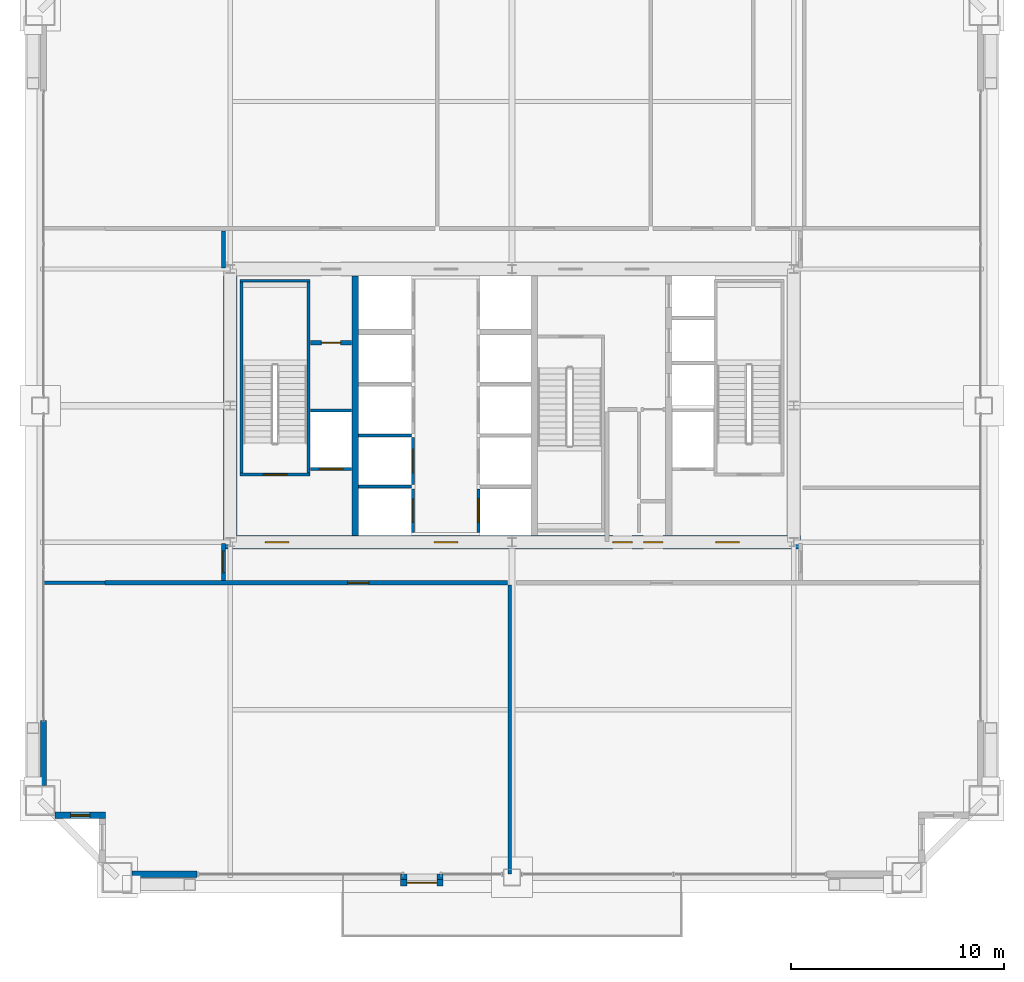
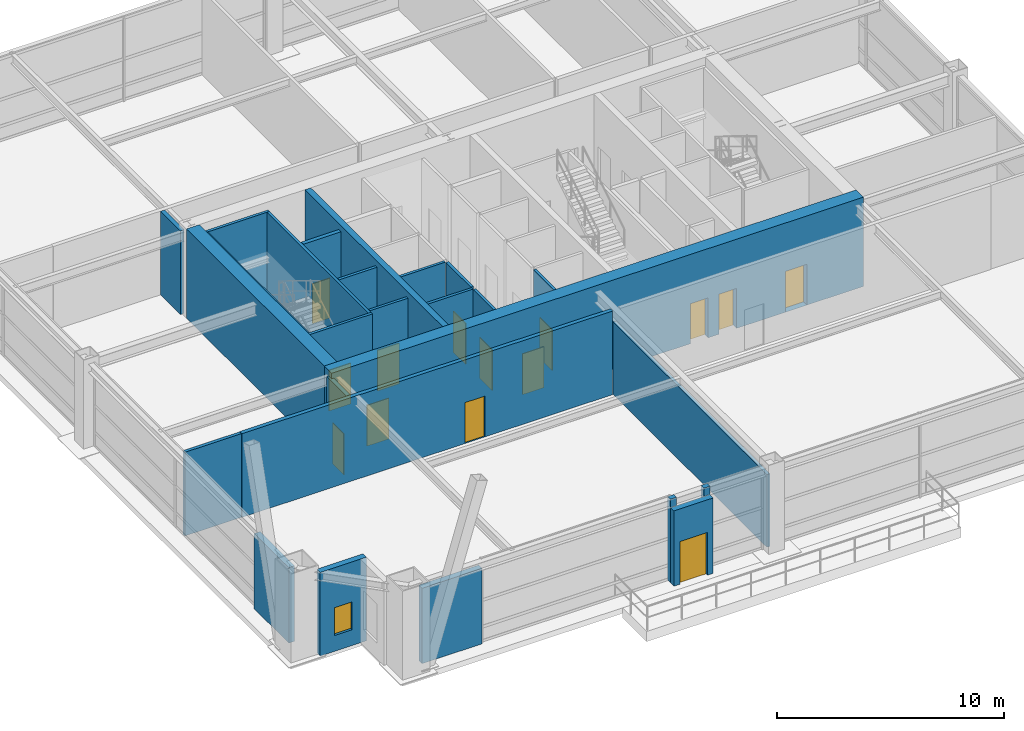
# One storey, part 30 of 34: 26 walls, 14 doors, 1 window, 15 openings.
"""IFC4 building model written with IfcOpenShell, lengths in metres."""

import ifcopenshell
import ifcopenshell.guid

model = None  # the IFC model being written
_history = None  # IfcOwnerHistory: only IFC2X3 demands one
_inside = {}  # id of a spatial element -> (the spatial element, [elements in it])
_under = {}  # id of a project, library or spatial element -> (it, [spatial elements below it])
_declared = {}  # id of a project -> (the project, [libraries it declares])
_typed = {}  # id of a type object -> (the type object, [elements of that type])
_made_of = {}  # id of a material, layer set ... -> (it, [elements and type objects made of it])


def new_model(schema):
    """Start an empty IFC model of exactly this schema.

    Asked for "IFC4X3", IfcOpenShell would pick the latest addendum, in which some entities
    have other attributes; the version numbers below select the first issue.
    IFC2X3 requires an IfcOwnerHistory on every rooted entity: one is made here for all.
    """
    global model, _history
    if schema == "IFC4X3":
        model = ifcopenshell.file(schema_version=(4, 3, 0, 0))
    else:
        model = ifcopenshell.file(schema=schema)
    _inside.clear()
    _under.clear()
    _declared.clear()
    _typed.clear()
    _made_of.clear()
    _history = None
    if model.schema == "IFC2X3":
        org = make("IfcOrganization", Name="unknown")
        user = make(
            "IfcPersonAndOrganization",
            ThePerson=make("IfcPerson", FamilyName="unknown"),
            TheOrganization=org,
        )
        app = make(
            "IfcApplication",
            ApplicationDeveloper=org,
            Version="unknown",
            ApplicationFullName="unknown",
            ApplicationIdentifier="unknown",
        )
        _history = make(
            "IfcOwnerHistory",
            OwningUser=user,
            OwningApplication=app,
            ChangeAction="ADDED",
            CreationDate=0,
        )
    return model


def make(cls, **values):
    """One entity of the class cls with the attributes given. An attribute that is None is left unset."""
    return model.create_entity(
        cls, **{name: value for name, value in values.items() if value is not None}
    )


def rooted(cls, **values):
    """An entity with a GlobalId (a new one), such as an element, a storey or a relation."""
    return make(cls, GlobalId=ifcopenshell.guid.new(), OwnerHistory=_history, **values)


def si_unit(unit_type, name, prefix=None):
    """IfcSIUnit, for example si_unit("LENGTHUNIT", "METRE", prefix="MILLI")."""
    return make("IfcSIUnit", UnitType=unit_type, Prefix=prefix, Name=name)


def assignment(units):
    """IfcUnitAssignment: the units of a project."""
    return None if units is None else make("IfcUnitAssignment", Units=units)


def point(xyz):
    """IfcCartesianPoint."""
    return None if xyz is None else make("IfcCartesianPoint", Coordinates=xyz)


def direction(xyz):
    """IfcDirection."""
    return None if xyz is None else make("IfcDirection", DirectionRatios=xyz)


def frame(location, z_axis=None, x_axis=None):
    """IfcAxis2Placement3D, a coordinate frame: its origin and axes. An axis left out is left unset."""
    return make(
        "IfcAxis2Placement3D",
        Location=point(location),
        Axis=direction(z_axis),
        RefDirection=direction(x_axis),
    )


def frame_2d(location, x_axis=None):
    """IfcAxis2Placement2D, a coordinate frame in the plane: its origin and x axis."""
    return make(
        "IfcAxis2Placement2D", Location=point(location), RefDirection=direction(x_axis)
    )


def origin():
    """The frame at (0, 0, 0) with its axes left unset."""
    return frame((0.0, 0.0, 0.0))


def place(relative_to, where):
    """IfcLocalPlacement: puts the frame where relative to a parent placement (None: the world)."""
    return make(
        "IfcLocalPlacement", PlacementRelTo=relative_to, RelativePlacement=where
    )


def context(
    kind, dimensions, precision=None, world=None, true_north=None, identifier=None
):
    """IfcGeometricRepresentationContext, for example the 3D "Model" context."""
    return make(
        "IfcGeometricRepresentationContext",
        ContextIdentifier=identifier,
        ContextType=kind,
        CoordinateSpaceDimension=dimensions,
        Precision=precision,
        WorldCoordinateSystem=world,
        TrueNorth=true_north,
    )


def subcontext(parent, identifier, kind, view, scale=None):
    """IfcGeometricRepresentationSubContext, for example "Body" below "Model"."""
    return make(
        "IfcGeometricRepresentationSubContext",
        ContextIdentifier=identifier,
        ContextType=kind,
        ParentContext=parent,
        TargetScale=scale,
        TargetView=view,
    )


def project(units=None, contexts=None):
    """IfcProject with its units and contexts."""
    return rooted(
        "IfcProject",
        Name="project",
        RepresentationContexts=contexts,
        UnitsInContext=assignment(units),
    )


def spatial(cls, under=None, at=None, **own):
    """A site, building, storey or space (cls), placed at a placement, below another one or the project."""
    s = rooted(cls, ObjectPlacement=at, **own)
    if under is not None:
        _under.setdefault(under.id(), (under, []))[1].append(s)
    return s


def profile(cls, at=None, kind="AREA", **sizes):
    """A parametric profile (cls). Its sizes go by their IFC names, for example OverallWidth=200.0."""
    return make(cls, ProfileType=kind, Position=at, **sizes)


def rectangle(**sizes):
    """IfcRectangleProfileDef."""
    return profile("IfcRectangleProfileDef", **sizes)


def extrude(swept, where, along, depth):
    """IfcExtrudedAreaSolid: the profile swept, set in the frame where, extruded along a direction by depth."""
    return make(
        "IfcExtrudedAreaSolid",
        SweptArea=swept,
        Position=where,
        ExtrudedDirection=direction(along),
        Depth=depth,
    )


def shape(context_of_items, identifier, shape_type, items):
    """IfcShapeRepresentation: the items that make up one representation, for example the "Body"."""
    return make(
        "IfcShapeRepresentation",
        ContextOfItems=context_of_items,
        RepresentationIdentifier=identifier,
        RepresentationType=shape_type,
        Items=items,
    )


def source(mapping_origin, context_of_items, identifier, shape_type, items):
    """IfcRepresentationMap: a shape defined once, which mapped items show again and again."""
    return make(
        "IfcRepresentationMap",
        MappingOrigin=mapping_origin,
        MappedRepresentation=shape(context_of_items, identifier, shape_type, items),
    )


def transform(
    local_origin,
    x_axis=None,
    y_axis=None,
    z_axis=None,
    scale=None,
    scale2=None,
    scale3=None,
    uniform=True,
):
    """IfcCartesianTransformationOperator3D, or its non-uniform kind. x_axis, y_axis, z_axis: its Axis1, 2, 3."""
    if uniform:
        return make(
            "IfcCartesianTransformationOperator3D",
            Axis1=direction(x_axis),
            Axis2=direction(y_axis),
            LocalOrigin=point(local_origin),
            Scale=scale,
            Axis3=direction(z_axis),
        )
    return make(
        "IfcCartesianTransformationOperator3DnonUniform",
        Axis1=direction(x_axis),
        Axis2=direction(y_axis),
        LocalOrigin=point(local_origin),
        Scale=scale,
        Axis3=direction(z_axis),
        Scale2=scale2,
        Scale3=scale3,
    )


def mapped(mapping_source, mapping_target):
    """IfcMappedItem: shows the shape of a source again, moved by a transform."""
    return make(
        "IfcMappedItem", MappingSource=mapping_source, MappingTarget=mapping_target
    )


def material(Name=None, Category=None):
    """IfcMaterial."""
    return make("IfcMaterial", Name=Name, Category=Category)


def layer(
    of_material, thickness, ventilated=None, Name=None, Category=None, Priority=None
):
    """IfcMaterialLayer: one layer of a wall or slab, of a material (None: an air gap)."""
    return make(
        "IfcMaterialLayer",
        Material=of_material,
        LayerThickness=thickness,
        IsVentilated=ventilated,
        Name=Name,
        Category=Category,
        Priority=Priority,
    )


def layer_set(layers, Name=None):
    """IfcMaterialLayerSet."""
    return make("IfcMaterialLayerSet", MaterialLayers=layers, LayerSetName=Name)


def made_of(thing, what):
    """Note that an element or type object is made of a material, layer set ...; save() writes the relation."""
    if what is not None:
        _made_of.setdefault(what.id(), (what, []))[1].append(thing)
    return thing


def type_object(cls, material=None, **own):
    """A type object (cls), such as IfcWallType, which elements share."""
    return made_of(rooted(cls, **own), material)


def element(
    cls,
    number,
    at=None,
    inside=None,
    cuts=None,
    type_object=None,
    material=None,
    context=None,
    identifier="Body",
    shape_type=None,
    held_by="IfcProductDefinitionShape",
    body=None,
    shapes=None,
    **own,
):
    """One element of the class cls, such as IfcWall. Its Tag is "e" and its number.

    at: its placement. inside: the storey or other place that contains it. cuts: it is an
    opening in that element (IfcRelVoidsElement). A single representation is given by context,
    identifier, shape_type and body (its items); several are given by shapes. held_by: the class
    of the entity that holds the representations. save() writes the other relations.
    """
    e = rooted(cls, Tag="e%d" % number, ObjectPlacement=at, **own)
    if body is not None:
        shapes = [shape(context, identifier, shape_type, body)]
    if shapes is not None:
        e.Representation = make(held_by, Representations=shapes)
    if inside is not None:
        _inside.setdefault(inside.id(), (inside, []))[1].append(e)
    if cuts is not None:
        rooted(
            "IfcRelVoidsElement", RelatingBuildingElement=cuts, RelatedOpeningElement=e
        )
    if type_object is not None:
        _typed.setdefault(type_object.id(), (type_object, []))[1].append(e)
    return made_of(e, material)


def fill(opening, filler):
    """IfcRelFillsElement: the door or window that sits in an opening."""
    return rooted(
        "IfcRelFillsElement",
        RelatingOpeningElement=opening,
        RelatedBuildingElement=filler,
    )


def aggregate(whole, parts):
    """IfcRelAggregates: a whole, such as a stair, and the parts it consists of."""
    return rooted("IfcRelAggregates", RelatingObject=whole, RelatedObjects=parts)


def save(model, path):
    """Write the relations noted so far, then the file.

    IfcRelAggregates (storeys below a building ...), IfcRelContainedInSpatialStructure (elements
    in a storey), IfcRelDefinesByType, IfcRelAssociatesMaterial and IfcRelDeclares: one each for
    every whole, place, type object, material and project.
    """
    for whole, parts in _under.values():
        aggregate(whole, parts)
    for where, things in _inside.values():
        rooted(
            "IfcRelContainedInSpatialStructure",
            RelatedElements=things,
            RelatingStructure=where,
        )
    for kind, things in _typed.values():
        rooted("IfcRelDefinesByType", RelatedObjects=things, RelatingType=kind)
    for what, things in _made_of.values():
        rooted("IfcRelAssociatesMaterial", RelatedObjects=things, RelatingMaterial=what)
    for by, libraries in _declared.values():
        rooted("IfcRelDeclares", RelatingContext=by, RelatedDefinitions=libraries)
    model.write(path)


model = new_model("IFC4")

# Units and contexts
model_context = context("Model", 3, precision=1e-05, world=origin(), true_north=direction((0.0, 1.0)))
body_context = subcontext(model_context, "Body", "Model", "MODEL_VIEW")
ifc_project = project(units=[si_unit("LENGTHUNIT", "METRE"), si_unit("AREAUNIT", "SQUARE_METRE"), si_unit("VOLUMEUNIT", "CUBIC_METRE"), si_unit("PLANEANGLEUNIT", "RADIAN"), si_unit("MASSUNIT", "GRAM", prefix="KILO"), si_unit("THERMODYNAMICTEMPERATUREUNIT", "KELVIN"), si_unit("POWERUNIT", "WATT")], contexts=[model_context])

# Site, building, storey
site_placement = place(None, origin())
site = spatial("IfcSite", under=ifc_project, at=site_placement, CompositionType="ELEMENT")
building_placement = place(site_placement, origin())
building = spatial("IfcBuilding", under=site, at=building_placement, Name="Yuzanri Waterfront Tower", CompositionType="ELEMENT")
storey_placement = place(building_placement, frame((0.0, 0.0, 166.800048828125)))
storey = spatial("IfcBuildingStorey", under=building, at=storey_placement, Name="L44", CompositionType="ELEMENT", Elevation=166.800048828125)

# Wall, opening, window
ifc_material_1 = material(Name="Honed Chongqing Dark Basalt Stone", Category="masonry")
ifc_layer_1 = layer(ifc_material_1, 0.300048828125)
ifc_layer_set_1 = layer_set([ifc_layer_1], Name="Honed Chongqing Dark Basalt Stone")
wall_type_1 = type_object("IfcWallType", Name="Bronze Rainscreen Insulated Spandrel Portal Wall 300", PredefinedType="SOLIDWALL", material=ifc_layer_set_1)
wall_1_placement = place(storey_placement, frame((15.60009765625, 6.60009765625, 0.0), z_axis=(0.0, 0.0, 1.0), x_axis=(1.0, 0.0, 0.0)))
wall_1 = element("IfcWall", 1, at=wall_1_placement, inside=storey, type_object=wall_type_1, Name="L44 Notched Corner Masonry Wall SW-X", PredefinedType="SOLIDWALL", context=body_context, shape_type="SweptSolid", body=[
    extrude(rectangle(XDim=2.349853515625, YDim=0.300048828125, at=frame_2d((1.1748046875, 0.0))), origin(), (0.0, 0.0, 1.0), 4.5),
])
opening_1_placement = place(wall_1_placement, frame((0.72509765625, 0.0, 0.85009765625)))
opening_1 = element("IfcOpeningElement", 2, at=opening_1_placement, cuts=wall_1, Name="Opening WN-05", PredefinedType="OPENING", context=body_context, shape_type="SweptSolid", body=[
    extrude(rectangle(XDim=0.89990234375, YDim=1.5, at=frame_2d((0.449951171875, 0.75))), frame((0.0, 0.1650390625, 0.0), z_axis=(0.0, -1.0, 0.0), x_axis=(1.0, 0.0, 0.0)), (0.0, 0.0, 1.0), 0.329833984375),
])
ifc_material_2 = material(Name="Double-Silver Low-E Insulated Glass", Category="glass")
window_type = type_object("IfcWindowType", Name="Anodized Bronze Service and Stairwell Smoke-Vent Window 900x1500", PartitioningType="SINGLE_PANEL", PredefinedType="WINDOW", material=ifc_material_2)
shared_shape_1 = source(origin(), body_context, "Body", "SweptSolid", [
    extrude(rectangle(XDim=0.89990234375, YDim=1.5, at=frame_2d((0.449951171875, 0.75))), frame((0.0, 0.030029296875, 0.0), z_axis=(0.0, -1.0, 0.0), x_axis=(1.0, 0.0, 0.0)), (0.0, 0.0, 1.0), 0.06005859375),
])
window_placement = place(opening_1_placement, origin())
window = element("IfcWindow", 3, at=window_placement, inside=storey, type_object=window_type, Name="L44 Notched Corner Window SW-X", OverallHeight=1.5, OverallWidth=0.89990234375, PartitioningType="SINGLE_PANEL", PredefinedType="WINDOW", context=body_context, shape_type="MappedRepresentation", body=[
    mapped(shared_shape_1, transform((0.0, 0.0, 0.0), scale=1.0)),
])
fill(opening_1, window)

# Wall, opening, door
wall_2_placement = place(storey_placement, frame((31.77490234375, 3.449951171875, 0.0), z_axis=(0.0, 0.0, 1.0), x_axis=(1.0, 0.0, 0.0)))
wall_2 = element("IfcWall", 4, at=wall_2_placement, inside=storey, type_object=wall_type_1, Name="L44 S Terrace Door Portal Wall", PredefinedType="SOLIDWALL", context=body_context, shape_type="SweptSolid", body=[
    extrude(rectangle(XDim=2.0, YDim=0.300048828125, at=frame_2d((1.0, 0.0))), origin(), (0.0, 0.0, 1.0), 4.054931640625),
])
opening_2_placement = place(wall_2_placement, frame((0.300048828125, 0.0, 0.0)))
opening_2 = element("IfcOpeningElement", 5, at=opening_2_placement, cuts=wall_2, Name="Opening TD-1400", PredefinedType="OPENING", context=body_context, shape_type="SweptSolid", body=[
    extrude(rectangle(XDim=1.39990234375, YDim=2.300048828125, at=frame_2d((0.699951171875, 1.14990234375))), frame((0.0, 0.1650390625, 0.0), z_axis=(0.0, -1.0, 0.0), x_axis=(1.0, 0.0, 0.0)), (0.0, 0.0, 1.0), 0.329833984375),
])
ifc_material_3 = material(Name="Anodized Architectural Bronze", Category="metal")
door_type_1 = type_object("IfcDoorType", Name="Anodized Bronze Balcony and Terrace Glazed Double Door 1400x2300", OperationType="NOTDEFINED", PredefinedType="DOOR", material=ifc_material_3)
shared_shape_2 = source(origin(), body_context, "Body", "SweptSolid", [
    extrude(rectangle(XDim=1.39990234375, YDim=2.300048828125, at=frame_2d((0.699951171875, 1.14990234375))), frame((0.0, 0.02490234375, 0.0), z_axis=(0.0, -1.0, 0.0), x_axis=(1.0, 0.0, 0.0)), (0.0, 0.0, 1.0), 0.050048828125),
])
door_1_placement = place(opening_2_placement, origin())
door_1 = element("IfcDoor", 6, at=door_1_placement, inside=storey, type_object=door_type_1, Name="L44 S Terrace Glazed Double Door", OperationType="DOUBLE_DOOR_SINGLE_SWING", OverallHeight=2.300048828125, OverallWidth=1.39990234375, PredefinedType="DOOR", context=body_context, shape_type="MappedRepresentation", body=[
    mapped(shared_shape_2, transform((0.0, 0.0, 0.0), scale=1.0)),
])
fill(opening_2, door_1)

# Wall, openings, doors
ifc_material_4 = material(Name="Concrete C50", Category="concrete")
ifc_layer_2 = layer(ifc_material_4, 0.64990234375)
ifc_layer_set_2 = layer_set([ifc_layer_2], Name="Concrete C50")
wall_type_2 = type_object("IfcWallType", Name="Concrete C50 Mid Zone Core Shear Wall 650", PredefinedType="SHEAR", material=ifc_layer_set_2)
wall_3_placement = place(storey_placement, frame((23.47509765625, 19.39990234375, 0.0), z_axis=(0.0, 0.0, 1.0), x_axis=(1.0, 0.0, 0.0)))
wall_3 = element("IfcWall", 7, at=wall_3_placement, inside=storey, type_object=wall_type_2, Name="L44 Core South Shear Wall", PredefinedType="SHEAR", context=body_context, shape_type="SweptSolid", body=[
    extrude(rectangle(XDim=27.0498046875, YDim=0.64990234375, at=frame_2d((13.52490234375, 0.0))), origin(), (0.0, 0.0, 1.0), 4.800048828125),
])
opening_3_placement = place(wall_3_placement, frame((1.97509765625, 0.0, 0.0)))
opening_3 = element("IfcOpeningElement", 8, at=opening_3_placement, cuts=wall_3, Name="Opening FD-1100", PredefinedType="OPENING", context=body_context, shape_type="SweptSolid", body=[
    extrude(rectangle(XDim=1.10009765625, YDim=2.199951171875, at=frame_2d((0.550048828125, 1.10009765625))), frame((0.0, 0.33984375, 0.0), z_axis=(0.0, -1.0, 0.0), x_axis=(1.0, 0.0, 0.0)), (0.0, 0.0, 1.0), 0.6796875),
])
opening_4_placement = place(wall_3_placement, frame((9.875, 0.0, 0.0)))
opening_4 = element("IfcOpeningElement", 9, at=opening_4_placement, cuts=wall_3, Name="Opening FD-1100", PredefinedType="OPENING", context=body_context, shape_type="SweptSolid", body=[
    extrude(rectangle(XDim=1.10009765625, YDim=2.199951171875, at=frame_2d((0.550048828125, 1.10009765625))), frame((0.0, 0.33984375, 0.0), z_axis=(0.0, -1.0, 0.0), x_axis=(1.0, 0.0, 0.0)), (0.0, 0.0, 1.0), 0.6796875),
])
opening_5_placement = place(wall_3_placement, frame((23.074951171875, 0.0, 0.0)))
opening_5 = element("IfcOpeningElement", 10, at=opening_5_placement, cuts=wall_3, Name="Opening FD-1100", PredefinedType="OPENING", context=body_context, shape_type="SweptSolid", body=[
    extrude(rectangle(XDim=1.10009765625, YDim=2.199951171875, at=frame_2d((0.550048828125, 1.10009765625))), frame((0.0, 0.33984375, 0.0), z_axis=(0.0, -1.0, 0.0), x_axis=(1.0, 0.0, 0.0)), (0.0, 0.0, 1.0), 0.6796875),
])
opening_6_placement = place(wall_3_placement, frame((19.695068359375, 0.0, 0.0)))
opening_6 = element("IfcOpeningElement", 11, at=opening_6_placement, cuts=wall_3, Name="Opening FD-0900", PredefinedType="OPENING", context=body_context, shape_type="SweptSolid", body=[
    extrude(rectangle(XDim=0.89990234375, YDim=2.14990234375, at=frame_2d((0.449951171875, 1.074951171875))), frame((0.0, 0.33984375, 0.0), z_axis=(0.0, -1.0, 0.0), x_axis=(1.0, 0.0, 0.0)), (0.0, 0.0, 1.0), 0.6796875),
])
opening_7_placement = place(wall_3_placement, frame((18.2548828125, 0.0, 0.0)))
opening_7 = element("IfcOpeningElement", 12, at=opening_7_placement, cuts=wall_3, Name="Opening FD-0900", PredefinedType="OPENING", context=body_context, shape_type="SweptSolid", body=[
    extrude(rectangle(XDim=0.89990234375, YDim=2.14990234375, at=frame_2d((0.449951171875, 1.074951171875))), frame((0.0, 0.33984375, 0.0), z_axis=(0.0, -1.0, 0.0), x_axis=(1.0, 0.0, 0.0)), (0.0, 0.0, 1.0), 0.6796875),
])
ifc_material_5 = material(Name="Painted Galvanized Fire Steel", Category="steel")
door_type_2 = type_object("IfcDoorType", Name="Smoke-Proof Stair and Lobby Fire Door 1100x2200", OperationType="NOTDEFINED", PredefinedType="DOOR", material=ifc_material_5)
shared_shape_3 = source(origin(), body_context, "Body", "SweptSolid", [
    extrude(rectangle(XDim=1.10009765625, YDim=2.199951171875, at=frame_2d((0.550048828125, 1.10009765625))), frame((0.0, 0.02490234375, 0.0), z_axis=(0.0, -1.0, 0.0), x_axis=(1.0, 0.0, 0.0)), (0.0, 0.0, 1.0), 0.050048828125),
])
door_2_placement = place(opening_3_placement, origin())
door_2 = element("IfcDoor", 13, at=door_2_placement, inside=storey, type_object=door_type_2, Name="L44 West Firefighting Lobby Door", OperationType="SINGLE_SWING_LEFT", OverallHeight=2.199951171875, OverallWidth=1.10009765625, PredefinedType="DOOR", context=body_context, shape_type="MappedRepresentation", body=[
    mapped(shared_shape_3, transform((0.0, 0.0, 0.0), scale=1.0)),
])
fill(opening_3, door_2)
door_3_placement = place(opening_4_placement, origin())
door_3 = element("IfcDoor", 14, at=door_3_placement, inside=storey, type_object=door_type_2, Name="L44 Central Lift Lobby South Door", OperationType="SINGLE_SWING_RIGHT", OverallHeight=2.199951171875, OverallWidth=1.10009765625, PredefinedType="DOOR", context=body_context, shape_type="MappedRepresentation", body=[
    mapped(shared_shape_3, transform((0.0, 0.0, 0.0), scale=1.0)),
])
fill(opening_4, door_3)
door_4_placement = place(opening_5_placement, origin())
door_4 = element("IfcDoor", 15, at=door_4_placement, inside=storey, type_object=door_type_2, Name="L44 East Firefighting Lobby Door", OperationType="SINGLE_SWING_LEFT", OverallHeight=2.199951171875, OverallWidth=1.10009765625, PredefinedType="DOOR", context=body_context, shape_type="MappedRepresentation", body=[
    mapped(shared_shape_3, transform((0.0, 0.0, 0.0), scale=1.0)),
])
fill(opening_5, door_4)
ifc_material_6 = material(Name="Painted Galvanized Fire Steel", Category="steel")
door_type_3 = type_object("IfcDoorType", Name="Riser and Service Room Fire Door 900x2150", OperationType="NOTDEFINED", PredefinedType="DOOR", material=ifc_material_6)
shared_shape_4 = source(origin(), body_context, "Body", "SweptSolid", [
    extrude(rectangle(XDim=0.89990234375, YDim=2.14990234375, at=frame_2d((0.449951171875, 1.074951171875))), frame((0.0, 0.02490234375, 0.0), z_axis=(0.0, -1.0, 0.0), x_axis=(1.0, 0.0, 0.0)), (0.0, 0.0, 1.0), 0.050048828125),
])
door_5_placement = place(opening_6_placement, origin())
door_5 = element("IfcDoor", 16, at=door_5_placement, inside=storey, type_object=door_type_3, Name="L44 East Wet Riser Door", OperationType="SINGLE_SWING_LEFT", OverallHeight=2.14990234375, OverallWidth=0.89990234375, PredefinedType="DOOR", context=body_context, shape_type="MappedRepresentation", body=[
    mapped(shared_shape_4, transform((0.0, 0.0, 0.0), scale=1.0)),
])
fill(opening_6, door_5)
door_6_placement = place(opening_7_placement, origin())
door_6 = element("IfcDoor", 17, at=door_6_placement, inside=storey, type_object=door_type_3, Name="L44 Cleaners Store Room", OperationType="SINGLE_SWING_RIGHT", OverallHeight=2.14990234375, OverallWidth=0.89990234375, PredefinedType="DOOR", context=body_context, shape_type="MappedRepresentation", body=[
    mapped(shared_shape_4, transform((0.0, 0.0, 0.0), scale=1.0)),
])
fill(opening_7, door_6)

# Wall, opening, door
ifc_material_7 = material(Name="Concrete C40", Category="concrete")
ifc_layer_3 = layer(ifc_material_7, 0.139892578125)
ifc_layer_set_3 = layer_set([ifc_layer_3], Name="Concrete C40")
wall_type_3 = type_object("IfcWallType", Name="Core Stair Liner and Hoistway Shaft Wall 140", PredefinedType="SOLIDWALL", material=ifc_layer_set_3)
wall_4_placement = place(storey_placement, frame((27.56005859375, 22.830078125, 0.0), z_axis=(0.0, 0.0, 1.0), x_axis=(1.0, 0.0, 0.0)))
wall_4 = element("IfcWall", 18, at=wall_4_placement, inside=storey, type_object=wall_type_3, Name="L44 Lift FL-01 Front Shaft Wall", PredefinedType="SOLIDWALL", context=body_context, shape_type="SweptSolid", body=[
    extrude(rectangle(XDim=1.919921875, YDim=0.139892578125, at=frame_2d((0.9599609375, 0.0))), origin(), (0.0, 0.0, 1.0), 4.5),
])
opening_8_placement = place(wall_4_placement, frame((0.409912109375, 0.0, 0.0)))
opening_8 = element("IfcOpeningElement", 19, at=opening_8_placement, cuts=wall_4, Name="Opening LD-FL-01", PredefinedType="OPENING", context=body_context, shape_type="SweptSolid", body=[
    extrude(rectangle(XDim=1.10009765625, YDim=2.199951171875, at=frame_2d((0.550048828125, 1.10009765625))), frame((0.0, 0.0849609375, 0.0), z_axis=(0.0, -1.0, 0.0), x_axis=(1.0, 0.0, 0.0)), (0.0, 0.0, 1.0), 0.169677734375),
])
ifc_material_8 = material(Name="Brushed Bronze and Stainless Steel Cab", Category="steel")
door_type_4 = type_object("IfcDoorType", Name="Center-Parting Bronze Lift Landing Sliding Door 1100x2200", OperationType="NOTDEFINED", PredefinedType="DOOR", material=ifc_material_8)
shared_shape_5 = source(origin(), body_context, "Body", "SweptSolid", [
    extrude(rectangle(XDim=1.10009765625, YDim=2.199951171875, at=frame_2d((0.550048828125, 1.10009765625))), frame((0.0, 0.02490234375, 0.0), z_axis=(0.0, -1.0, 0.0), x_axis=(1.0, 0.0, 0.0)), (0.0, 0.0, 1.0), 0.050048828125),
])
door_7_placement = place(opening_8_placement, origin())
door_7 = element("IfcDoor", 20, at=door_7_placement, inside=storey, type_object=door_type_4, Name="L44 FL-01 Lift Landing Sliding Door", OperationType="SLIDING_TO_LEFT", OverallHeight=2.199951171875, OverallWidth=1.10009765625, PredefinedType="DOOR", context=body_context, shape_type="MappedRepresentation", body=[
    mapped(shared_shape_5, transform((0.0, 0.0, 0.0), scale=1.0)),
])
fill(opening_8, door_7)

wall_5_placement = place(storey_placement, frame((32.3701171875, 19.860107421875, 0.0), z_axis=(0.0, 0.0, 1.0), x_axis=(0.0, 1.0, 0.0)))
wall_5 = element("IfcWall", 21, at=wall_5_placement, inside=storey, type_object=wall_type_3, Name="L44 Lift PL-01 Front Shaft Wall", PredefinedType="SOLIDWALL", context=body_context, shape_type="SweptSolid", body=[
    extrude(rectangle(XDim=2.039794921875, YDim=0.139892578125, at=frame_2d((1.02001953125, 0.0))), origin(), (0.0, 0.0, 1.0), 4.5),
])
opening_9_placement = place(wall_5_placement, frame((0.469970703125, 0.0, 0.0)))
opening_9 = element("IfcOpeningElement", 22, at=opening_9_placement, cuts=wall_5, Name="Opening LD-PL-01", PredefinedType="OPENING", context=body_context, shape_type="SweptSolid", body=[
    extrude(rectangle(XDim=1.10009765625, YDim=2.199951171875, at=frame_2d((0.550048828125, 1.10009765625))), frame((0.0, 0.0849609375, 0.0), z_axis=(0.0, -1.0, 0.0), x_axis=(1.0, 0.0, 0.0)), (0.0, 0.0, 1.0), 0.169677734375),
])
door_8_placement = place(opening_9_placement, origin())
door_8 = element("IfcDoor", 23, at=door_8_placement, inside=storey, type_object=door_type_4, Name="L44 PL-01 Lift Landing Sliding Door", OperationType="SLIDING_TO_LEFT", OverallHeight=2.199951171875, OverallWidth=1.10009765625, PredefinedType="DOOR", context=body_context, shape_type="MappedRepresentation", body=[
    mapped(shared_shape_5, transform((0.0, 0.0, 0.0), scale=1.0)),
])
fill(opening_9, door_8)

wall_6_placement = place(storey_placement, frame((32.3701171875, 22.10009765625, 0.0), z_axis=(0.0, 0.0, 1.0), x_axis=(0.0, 1.0, 0.0)))
wall_6 = element("IfcWall", 24, at=wall_6_placement, inside=storey, type_object=wall_type_3, Name="L44 Lift PL-02 Front Shaft Wall", PredefinedType="SOLIDWALL", context=body_context, shape_type="SweptSolid", body=[
    extrude(rectangle(XDim=2.199951171875, YDim=0.139892578125, at=frame_2d((1.10009765625, 0.0))), origin(), (0.0, 0.0, 1.0), 4.5),
])
opening_10_placement = place(wall_6_placement, frame((0.550048828125, 0.0, 0.0)))
opening_10 = element("IfcOpeningElement", 25, at=opening_10_placement, cuts=wall_6, Name="Opening LD-PL-02", PredefinedType="OPENING", context=body_context, shape_type="SweptSolid", body=[
    extrude(rectangle(XDim=1.10009765625, YDim=2.199951171875, at=frame_2d((0.550048828125, 1.10009765625))), frame((0.0, 0.0849609375, 0.0), z_axis=(0.0, -1.0, 0.0), x_axis=(1.0, 0.0, 0.0)), (0.0, 0.0, 1.0), 0.169677734375),
])
door_9_placement = place(opening_10_placement, origin())
door_9 = element("IfcDoor", 26, at=door_9_placement, inside=storey, type_object=door_type_4, Name="L44 PL-02 Lift Landing Sliding Door", OperationType="SLIDING_TO_RIGHT", OverallHeight=2.199951171875, OverallWidth=1.10009765625, PredefinedType="DOOR", context=body_context, shape_type="MappedRepresentation", body=[
    mapped(shared_shape_5, transform((0.0, 0.0, 0.0), scale=1.0)),
])
fill(opening_10, door_9)

wall_7_placement = place(storey_placement, frame((35.429931640625, 19.860107421875, 0.0), z_axis=(0.0, 0.0, 1.0), x_axis=(0.0, 1.0, 0.0)))
wall_7 = element("IfcWall", 27, at=wall_7_placement, inside=storey, type_object=wall_type_3, Name="L44 Lift PL-05 Front Shaft Wall", PredefinedType="SOLIDWALL", context=body_context, shape_type="SweptSolid", body=[
    extrude(rectangle(XDim=2.039794921875, YDim=0.139892578125, at=frame_2d((1.02001953125, 0.0))), origin(), (0.0, 0.0, 1.0), 4.5),
])
opening_11_placement = place(wall_7_placement, frame((0.469970703125, 0.0, 0.0)))
opening_11 = element("IfcOpeningElement", 28, at=opening_11_placement, cuts=wall_7, Name="Opening LD-PL-05", PredefinedType="OPENING", context=body_context, shape_type="SweptSolid", body=[
    extrude(rectangle(XDim=1.10009765625, YDim=2.199951171875, at=frame_2d((0.550048828125, 1.10009765625))), frame((0.0, 0.0849609375, 0.0), z_axis=(0.0, -1.0, 0.0), x_axis=(1.0, 0.0, 0.0)), (0.0, 0.0, 1.0), 0.169677734375),
])
door_10_placement = place(opening_11_placement, origin())
door_10 = element("IfcDoor", 29, at=door_10_placement, inside=storey, type_object=door_type_4, Name="L44 PL-05 Lift Landing Sliding Door", OperationType="SLIDING_TO_RIGHT", OverallHeight=2.199951171875, OverallWidth=1.10009765625, PredefinedType="DOOR", context=body_context, shape_type="MappedRepresentation", body=[
    mapped(shared_shape_5, transform((0.0, 0.0, 0.0), scale=1.0)),
])
fill(opening_11, door_10)

wall_8_placement = place(storey_placement, frame((24.260009765625, 22.570068359375, 0.0), z_axis=(0.0, 0.0, 1.0), x_axis=(1.0, 0.0, 0.0)))
wall_8 = element("IfcWall", 30, at=wall_8_placement, inside=storey, type_object=wall_type_3, Name="L44 Shaft Wall STW-L44-ST-01-S", PredefinedType="SOLIDWALL", context=body_context, shape_type="SweptSolid", body=[
    extrude(rectangle(XDim=3.280029296875, YDim=0.139892578125, at=frame_2d((1.64013671875, 0.0))), origin(), (0.0, 0.0, 1.0), 4.5),
])
opening_12_placement = place(wall_8_placement, frame((1.090087890625, 0.0, 0.0)))
opening_12 = element("IfcOpeningElement", 31, at=opening_12_placement, cuts=wall_8, Name="Opening FD-1100", PredefinedType="OPENING", context=body_context, shape_type="SweptSolid", body=[
    extrude(rectangle(XDim=1.10009765625, YDim=2.199951171875, at=frame_2d((0.550048828125, 1.10009765625))), frame((0.0, 0.0849609375, 0.0), z_axis=(0.0, -1.0, 0.0), x_axis=(1.0, 0.0, 0.0)), (0.0, 0.0, 1.0), 0.169677734375),
])
door_11_placement = place(opening_12_placement, origin())
door_11 = element("IfcDoor", 32, at=door_11_placement, inside=storey, type_object=door_type_2, Name="L44 Stair ST-01 Fire Door", OperationType="SINGLE_SWING_RIGHT", OverallHeight=2.199951171875, OverallWidth=1.10009765625, PredefinedType="DOOR", context=body_context, shape_type="MappedRepresentation", body=[
    mapped(shared_shape_3, transform((0.0, 0.0, 0.0), scale=1.0)),
])
fill(opening_12, door_11)

ifc_material_9 = material(Name="Autoclaved Aerated Concrete Blockwork", Category="masonry")
ifc_layer_4 = layer(ifc_material_9, 0.199951171875)
ifc_layer_set_4 = layer_set([ifc_layer_4], Name="Autoclaved Aerated Concrete Blockwork")
wall_type_4 = type_object("IfcWallType", Name="Corridor and Unit Party Fire Wall 200", PredefinedType="PARTITIONING", material=ifc_layer_set_4)
wall_9_placement = place(storey_placement, frame((27.56005859375, 28.75, 0.0), z_axis=(0.0, 0.0, 1.0), x_axis=(1.0, 0.0, 0.0)))
wall_9 = element("IfcWall", 33, at=wall_9_placement, inside=storey, type_object=wall_type_4, Name="L44 Partition CRW-L44-ERTR", PredefinedType="PARTITIONING", context=body_context, shape_type="SweptSolid", body=[
    extrude(rectangle(XDim=1.919921875, YDim=0.199951171875, at=frame_2d((0.9599609375, 0.0))), origin(), (0.0, 0.0, 1.0), 4.5),
])
opening_13_placement = place(wall_9_placement, frame((0.510009765625, 0.0, 0.0)))
opening_13 = element("IfcOpeningElement", 34, at=opening_13_placement, cuts=wall_9, Name="Opening FD-0900", PredefinedType="OPENING", context=body_context, shape_type="SweptSolid", body=[
    extrude(rectangle(XDim=0.89990234375, YDim=2.14990234375, at=frame_2d((0.449951171875, 1.074951171875))), frame((0.0, 0.11474609375, 0.0), z_axis=(0.0, -1.0, 0.0), x_axis=(1.0, 0.0, 0.0)), (0.0, 0.0, 1.0), 0.229736328125),
])
door_12_placement = place(opening_13_placement, origin())
door_12 = element("IfcDoor", 35, at=door_12_placement, inside=storey, type_object=door_type_3, Name="L44 Electrical Riser Door", OperationType="SINGLE_SWING_RIGHT", OverallHeight=2.14990234375, OverallWidth=0.89990234375, PredefinedType="DOOR", context=body_context, shape_type="MappedRepresentation", body=[
    mapped(shared_shape_4, transform((0.0, 0.0, 0.0), scale=1.0)),
])
fill(opening_13, door_12)

wall_10_placement = place(storey_placement, frame((17.93994140625, 17.5, 0.0), z_axis=(0.0, 0.0, 1.0), x_axis=(1.0, 0.0, 0.0)))
wall_10 = element("IfcWall", 36, at=wall_10_placement, inside=storey, type_object=wall_type_4, Name="L44 Partition SLW-L44-016-N", PredefinedType="PARTITIONING", context=body_context, shape_type="SweptSolid", body=[
    extrude(rectangle(XDim=18.860107421875, YDim=0.199951171875, at=frame_2d((9.43017578125, 0.0))), origin(), (0.0, 0.0, 1.0), 4.5),
])
opening_14_placement = place(wall_10_placement, frame((11.360107421875, 0.0, 0.0)))
opening_14 = element("IfcOpeningElement", 37, at=opening_14_placement, cuts=wall_10, Name="Opening FD-1000", PredefinedType="OPENING", context=body_context, shape_type="SweptSolid", body=[
    extrude(rectangle(XDim=1.0, YDim=2.199951171875, at=frame_2d((0.5, 1.10009765625))), frame((0.0, 0.11474609375, 0.0), z_axis=(0.0, -1.0, 0.0), x_axis=(1.0, 0.0, 0.0)), (0.0, 0.0, 1.0), 0.229736328125),
])
ifc_material_10 = material(Name="Engineered Oak Fire-Rated Timber", Category="wood")
door_type_5 = type_object("IfcDoorType", Name="Guestroom and Apartment Entrance Fire Door 1000x2200", OperationType="NOTDEFINED", PredefinedType="DOOR", material=ifc_material_10)
shared_shape_6 = source(origin(), body_context, "Body", "SweptSolid", [
    extrude(rectangle(XDim=1.0, YDim=2.199951171875, at=frame_2d((0.5, 1.10009765625))), frame((0.0, 0.02490234375, 0.0), z_axis=(0.0, -1.0, 0.0), x_axis=(1.0, 0.0, 0.0)), (0.0, 0.0, 1.0), 0.050048828125),
])
door_13_placement = place(opening_14_placement, origin())
door_13 = element("IfcDoor", 38, at=door_13_placement, inside=storey, type_object=door_type_5, Name="L44 Hotel Sky Lobby", OperationType="SINGLE_SWING_RIGHT", OverallHeight=2.199951171875, OverallWidth=1.0, PredefinedType="DOOR", context=body_context, shape_type="MappedRepresentation", body=[
    mapped(shared_shape_6, transform((0.0, 0.0, 0.0), scale=1.0)),
])
fill(opening_14, door_13)

wall_11_placement = place(storey_placement, frame((23.47998046875, 17.610107421875, 0.0), z_axis=(0.0, 0.0, 1.0), x_axis=(0.0, 1.0, 0.0)))
wall_11 = element("IfcWall", 39, at=wall_11_placement, inside=storey, type_object=wall_type_4, Name="L44 Partition SLW-L44-018-EC", PredefinedType="PARTITIONING", context=body_context, shape_type="SweptSolid", body=[
    extrude(rectangle(XDim=1.739990234375, YDim=0.199951171875, at=frame_2d((0.8701171875, 0.0))), origin(), (0.0, 0.0, 1.0), 4.5),
])
opening_15_placement = place(wall_11_placement, frame((0.3701171875, 0.0, 0.0)))
opening_15 = element("IfcOpeningElement", 40, at=opening_15_placement, cuts=wall_11, Name="Opening FD-1000", PredefinedType="OPENING", context=body_context, shape_type="SweptSolid", body=[
    extrude(rectangle(XDim=1.0, YDim=2.199951171875, at=frame_2d((0.5, 1.10009765625))), frame((0.0, 0.11474609375, 0.0), z_axis=(0.0, -1.0, 0.0), x_axis=(1.0, 0.0, 0.0)), (0.0, 0.0, 1.0), 0.229736328125),
])
door_14_placement = place(opening_15_placement, origin())
door_14 = element("IfcDoor", 41, at=door_14_placement, inside=storey, type_object=door_type_5, Name="L44 Sky Lounge Bar", OperationType="SINGLE_SWING_RIGHT", OverallHeight=2.199951171875, OverallWidth=1.0, PredefinedType="DOOR", context=body_context, shape_type="MappedRepresentation", body=[
    mapped(shared_shape_6, transform((0.0, 0.0, 0.0), scale=1.0)),
])
fill(opening_15, door_14)

# Walls
shared_shape_7 = source(origin(), body_context, "Body", "SweptSolid", [
    extrude(rectangle(XDim=12.14990234375, YDim=0.64990234375, at=frame_2d((6.074951171875, 0.0))), origin(), (0.0, 0.0, 1.0), 4.800048828125),
])
wall_12_placement = place(storey_placement, frame((23.800048828125, 19.72509765625, 0.0), z_axis=(0.0, 0.0, 1.0), x_axis=(0.0, 1.0, 0.0)))
element("IfcWall", 42, at=wall_12_placement, inside=storey, type_object=wall_type_2, Name="L44 Core West Shear Wall", PredefinedType="SHEAR", context=body_context, shape_type="MappedRepresentation", body=[
    mapped(shared_shape_7, transform((0.0, 0.0, 0.0), scale=1.0)),
])
ifc_material_11 = material(Name="Concrete C50", Category="concrete")
ifc_layer_5 = layer(ifc_material_11, 0.300048828125)
ifc_layer_set_5 = layer_set([ifc_layer_5], Name="Concrete C50")
wall_type_5 = type_object("IfcWallType", Name="Concrete C50 Internal Core Shaft Structural Wall 300", PredefinedType="SOLIDWALL", material=ifc_layer_set_5)
shared_shape_8 = source(origin(), body_context, "Body", "SweptSolid", [
    extrude(rectangle(XDim=12.14990234375, YDim=0.300048828125, at=frame_2d((6.074951171875, 0.0))), origin(), (0.0, 0.0, 1.0), 4.800048828125),
])
wall_13_placement = place(storey_placement, frame((29.64990234375, 19.72509765625, 0.0), z_axis=(0.0, 0.0, 1.0), x_axis=(0.0, 1.0, 0.0)))
element("IfcWall", 43, at=wall_13_placement, inside=storey, type_object=wall_type_5, Name="L44 Core Internal Structural Web Wall 1", PredefinedType="SOLIDWALL", context=body_context, shape_type="MappedRepresentation", body=[
    mapped(shared_shape_8, transform((0.0, 0.0, 0.0), scale=1.0)),
])
shared_shape_9 = source(origin(), body_context, "Body", "SweptSolid", [
    extrude(rectangle(XDim=3.050048828125, YDim=0.300048828125, at=frame_2d((1.52490234375, 0.0))), origin(), (0.0, 0.0, 1.0), 4.054931640625),
])
for number, where, z_axis, x_axis, name in (
    (44, (19.199951171875, 3.85009765625, 0.0), (0.0, 0.0, 1.0), (1.0, 0.0, 0.0), "L44 S Left Braced Masonry Shoulder"),
    (45, (15.050048828125, 8.0, 0.0), (0.0, 0.0, 1.0), (0.0, 1.0, 0.0), "L44 W Left Braced Masonry Shoulder"),
):
    element("IfcWall", number, at=place(storey_placement, frame(where, z_axis=z_axis, x_axis=x_axis)), inside=storey, type_object=wall_type_1, Name=name, PredefinedType="SOLIDWALL", context=body_context, shape_type="MappedRepresentation", body=[
        mapped(shared_shape_9, transform((0.0, 0.0, 0.0), scale=1.0)),
    ])
shared_shape_10 = source(origin(), body_context, "Body", "SweptSolid", [
    extrude(rectangle(XDim=0.25, YDim=0.300048828125, at=frame_2d((0.125, 0.0))), origin(), (0.0, 0.0, 1.0), 4.5),
])
for number, where, z_axis, x_axis, name in (
    (46, (31.925048828125, 3.85009765625, 0.0), (0.0, 0.0, 1.0), (0.0, -1.0, 0.0), "L44 S Terrace Portal Left Return"),
    (47, (33.625, 3.60009765625, 0.0), (0.0, 0.0, 1.0), (0.0, 1.0, 0.0), "L44 S Terrace Portal Right Return"),
):
    element("IfcWall", number, at=place(storey_placement, frame(where, z_axis=z_axis, x_axis=x_axis)), inside=storey, type_object=wall_type_1, Name=name, PredefinedType="SOLIDWALL", context=body_context, shape_type="MappedRepresentation", body=[
        mapped(shared_shape_10, transform((0.0, 0.0, 0.0), scale=1.0)),
    ])
shared_shape_11 = source(origin(), body_context, "Body", "SweptSolid", [
    extrude(rectangle(XDim=1.919921875, YDim=0.139892578125, at=frame_2d((0.9599609375, 0.0))), origin(), (0.0, 0.0, 1.0), 4.5),
])
wall_14_placement = place(storey_placement, frame((27.56005859375, 25.570068359375, 0.0), z_axis=(0.0, 0.0, 1.0), x_axis=(1.0, 0.0, 0.0)))
element("IfcWall", 48, at=wall_14_placement, inside=storey, type_object=wall_type_3, Name="L44 Lift FL-01 Back Shaft Wall", PredefinedType="SOLIDWALL", context=body_context, shape_type="MappedRepresentation", body=[
    mapped(shared_shape_11, transform((0.0, 0.0, 0.0), scale=1.0)),
])
shared_shape_12 = source(origin(), body_context, "Body", "SweptSolid", [
    extrude(rectangle(XDim=2.5, YDim=0.139892578125, at=frame_2d((1.25, 0.0))), origin(), (0.0, 0.0, 1.0), 4.5),
])
for number, where, z_axis, x_axis, name in (
    (49, (29.800048828125, 22.0, 0.0), (0.0, 0.0, 1.0), (1.0, 0.0, 0.0), "L44 Lift PL-01 Divider Wall"),
    (50, (29.800048828125, 24.39990234375, 0.0), (0.0, 0.0, 1.0), (1.0, 0.0, 0.0), "L44 Lift PL-02 Divider Wall"),
):
    element("IfcWall", number, at=place(storey_placement, frame(where, z_axis=z_axis, x_axis=x_axis)), inside=storey, type_object=wall_type_3, Name=name, PredefinedType="SOLIDWALL", context=body_context, shape_type="MappedRepresentation", body=[
        mapped(shared_shape_12, transform((0.0, 0.0, 0.0), scale=1.0)),
    ])
shared_shape_13 = source(origin(), body_context, "Body", "SweptSolid", [
    extrude(rectangle(XDim=3.280029296875, YDim=0.139892578125, at=frame_2d((1.64013671875, 0.0))), origin(), (0.0, 0.0, 1.0), 4.5),
])
wall_15_placement = place(storey_placement, frame((24.260009765625, 31.64990234375, 0.0), z_axis=(0.0, 0.0, 1.0), x_axis=(1.0, 0.0, 0.0)))
element("IfcWall", 51, at=wall_15_placement, inside=storey, type_object=wall_type_3, Name="L44 Stair ST-01 North Shaft Wall", PredefinedType="SOLIDWALL", context=body_context, shape_type="MappedRepresentation", body=[
    mapped(shared_shape_13, transform((0.0, 0.0, 0.0), scale=1.0)),
])
shared_shape_14 = source(origin(), body_context, "Body", "SweptSolid", [
    extrude(rectangle(XDim=8.940185546875, YDim=0.139892578125, at=frame_2d((4.47021484375, 0.0))), origin(), (0.0, 0.0, 1.0), 4.5),
])
for number, where, z_axis, x_axis, name in (
    (52, (24.330078125, 22.639892578125, 0.0), (0.0, 0.0, 1.0), (0.0, 1.0, 0.0), "L44 Stair ST-01 West Shaft Wall"),
    (53, (27.469970703125, 22.639892578125, 0.0), (0.0, 0.0, 1.0), (0.0, 1.0, 0.0), "L44 Stair ST-01 East Shaft Wall"),
):
    element("IfcWall", number, at=place(storey_placement, frame(where, z_axis=z_axis, x_axis=x_axis)), inside=storey, type_object=wall_type_3, Name=name, PredefinedType="SOLIDWALL", context=body_context, shape_type="MappedRepresentation", body=[
        mapped(shared_shape_14, transform((0.0, 0.0, 0.0), scale=1.0)),
    ])
ifc_material_12 = material(Name="Gypsum Fireboard Acoustic Stud Wall", Category="gypsum")
ifc_layer_6 = layer(ifc_material_12, 0.159912109375)
ifc_layer_set_6 = layer_set([ifc_layer_6], Name="Gypsum Fireboard Acoustic Stud Wall")
wall_type_6 = type_object("IfcWallType", Name="Acoustic Suite Demising Partition 160", PredefinedType="PARTITIONING", material=ifc_layer_set_6)
shared_shape_15 = source(origin(), body_context, "Body", "SweptSolid", [
    extrude(rectangle(XDim=13.539794921875, YDim=0.159912109375, at=frame_2d((6.77001953125, 0.0))), origin(), (0.0, 0.0, 1.0), 3.906982421875),
])
wall_16_placement = place(storey_placement, frame((36.89990234375, 3.85009765625, 0.0), z_axis=(0.0, 0.0, 1.0), x_axis=(0.0, 1.0, 0.0)))
element("IfcWall", 54, at=wall_16_placement, inside=storey, type_object=wall_type_6, Name="L44-016 Demising Wall", PredefinedType="PARTITIONING", context=body_context, shape_type="MappedRepresentation", body=[
    mapped(shared_shape_15, transform((0.0, 0.0, 0.0), scale=1.0)),
])
shared_shape_16 = source(origin(), body_context, "Body", "SweptSolid", [
    extrude(rectangle(XDim=1.739990234375, YDim=0.199951171875, at=frame_2d((0.8701171875, 0.0))), origin(), (0.0, 0.0, 1.0), 4.5),
])
wall_17_placement = place(storey_placement, frame((23.47998046875, 32.25, 0.0), z_axis=(0.0, 0.0, 1.0), x_axis=(0.0, 1.0, 0.0)))
element("IfcWall", 55, at=wall_17_placement, inside=storey, type_object=wall_type_4, Name="L44-018 North Gallery Closure", PredefinedType="PARTITIONING", context=body_context, shape_type="MappedRepresentation", body=[
    mapped(shared_shape_16, transform((0.0, 0.0, 0.0), scale=1.0)),
])
shared_shape_17 = source(origin(), body_context, "Body", "SweptSolid", [
    extrude(rectangle(XDim=2.8798828125, YDim=0.159912109375, at=frame_2d((1.43994140625, 0.0))), origin(), (0.0, 0.0, 1.0), 4.5),
])
wall_18_placement = place(storey_placement, frame((15.050048828125, 17.5, 0.0), z_axis=(0.0, 0.0, 1.0), x_axis=(1.0, 0.0, 0.0)))
element("IfcWall", 56, at=wall_18_placement, inside=storey, type_object=wall_type_6, Name="L44-018 South Wing Wall", PredefinedType="PARTITIONING", context=body_context, shape_type="MappedRepresentation", body=[
    mapped(shared_shape_17, transform((0.0, 0.0, 0.0), scale=1.0)),
])

save(model, "model.ifc")
